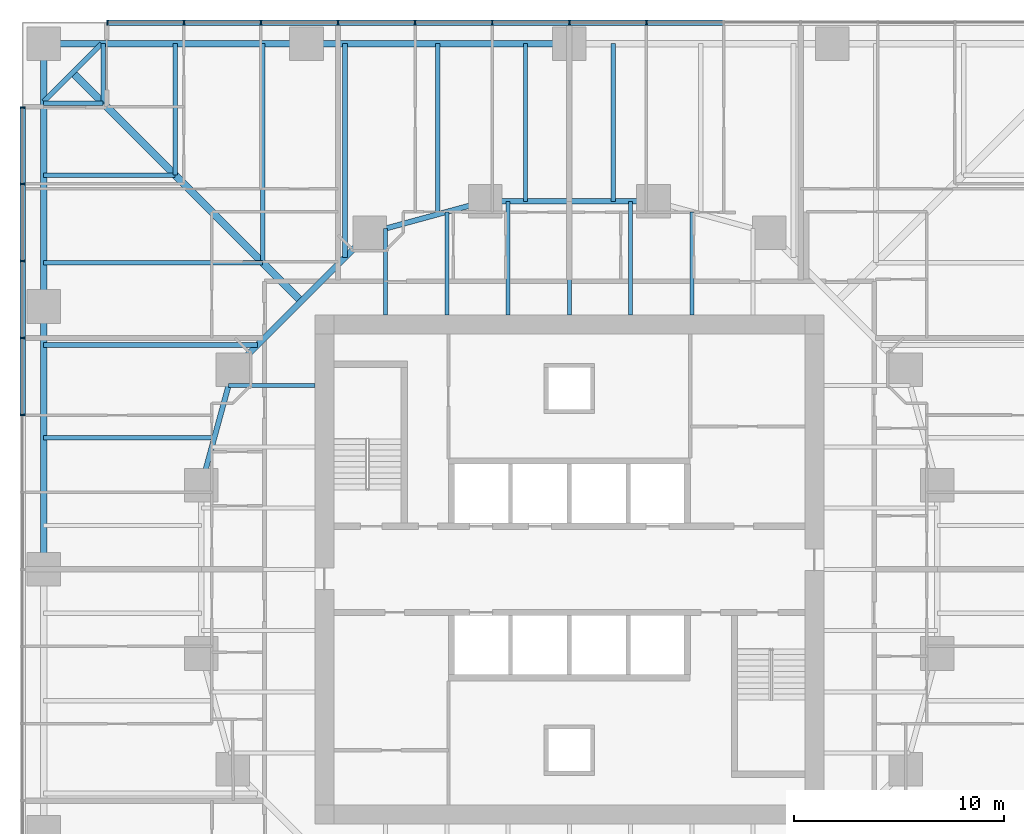
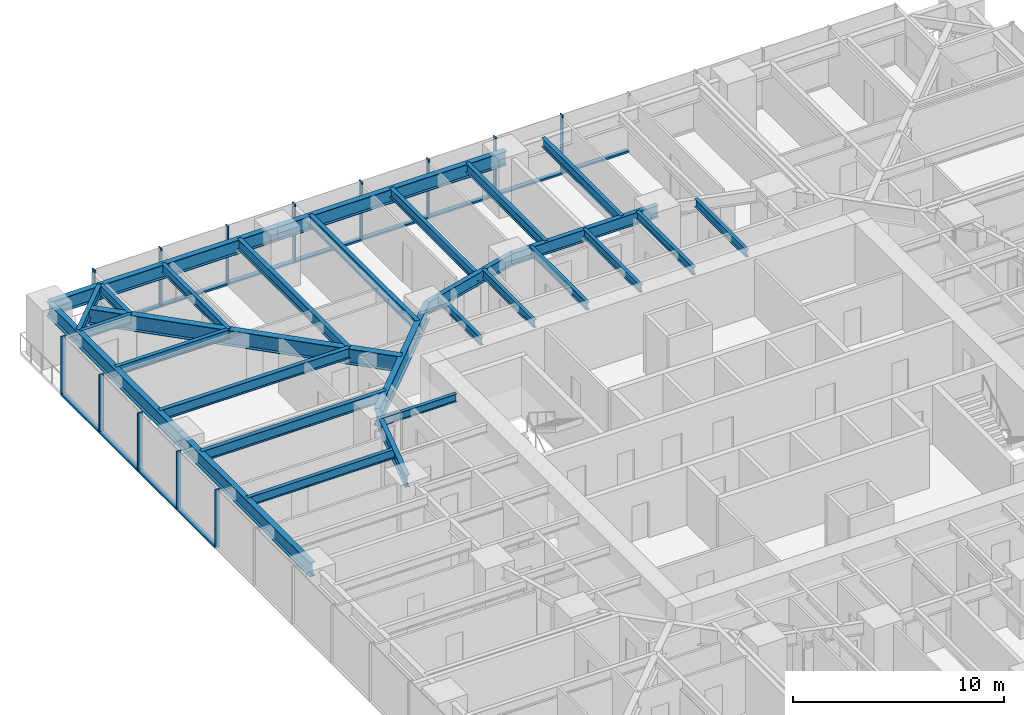
# One storey, part 5 of 17: 29 beams, 25 members, 2 elements without a shape of their own.
"""IFC4 building model written with IfcOpenShell, lengths in metres."""

from ifc_helpers import new_model, si_unit, direction, frame, origin, origin_2d, place, context, subcontext, project, spatial, rectangle, i_section, extrude, material, material_profile, profile_set, type_object, element, aggregate, save


model = new_model("IFC4")

# Units and contexts
model_context = context("Model", 3, precision=1e-05, world=origin(), true_north=direction((0.0, 1.0)))
body_context = subcontext(model_context, "Body", "Model", "MODEL_VIEW")
ifc_project = project(units=[si_unit("LENGTHUNIT", "METRE"), si_unit("AREAUNIT", "SQUARE_METRE"), si_unit("VOLUMEUNIT", "CUBIC_METRE"), si_unit("PLANEANGLEUNIT", "RADIAN"), si_unit("MASSUNIT", "GRAM", prefix="KILO")], contexts=[model_context])

# Site, building, storey
site_placement = place(None, origin())
site = spatial("IfcSite", under=ifc_project, at=site_placement, CompositionType="ELEMENT")
building_placement = place(site_placement, origin())
building = spatial("IfcBuilding", under=site, at=building_placement, Name="Torsade Residences", CompositionType="ELEMENT")
storey_placement = place(building_placement, frame((0.0, 0.0, 18.39990234375)))
storey = spatial("IfcBuildingStorey", under=building, at=storey_placement, Name="L04", CompositionType="ELEMENT", Elevation=18.39990234375)

# Beams
ifc_material_1 = material(Name="Steel grade 300", Category="steel")
ifc_material_profile_1 = material_profile(ifc_material_1, i_section(OverallWidth=0.35009765625, OverallDepth=0.909912109375, WebThickness=0.011962890625, FlangeThickness=0.02490234375, at=origin_2d()), Name="900WB218")
ifc_profile_set_1 = profile_set([ifc_material_profile_1], Name="Steel grade 300")
beam_type_1 = type_object("IfcBeamType", Name="CORNER GIRDER 900WB218", PredefinedType="BEAM", material=ifc_profile_set_1)
beam_1_placement = place(storey_placement, frame((16.375, 53.625, 2.795166015625), z_axis=(0.707106781187, -0.707106781187, 0.0), x_axis=(0.707106781187, 0.707106781187, 0.0)))
element("IfcBeam", 1, at=beam_1_placement, inside=storey, type_object=beam_type_1, Name="Corner girder 13 L05", PredefinedType="BEAM", context=body_context, shape_type="SweptSolid", body=[
    extrude(i_section(OverallWidth=0.35009765625, OverallDepth=0.909912109375, WebThickness=0.011962890625, FlangeThickness=0.02490234375, at=origin_2d()), origin(), (0.0, 0.0, 1.0), 15.379638671875),
])
ifc_material_2 = material(Name="Steel grade 300", Category="steel")
ifc_material_profile_2 = material_profile(ifc_material_2, i_section(OverallWidth=0.22802734375, OverallDepth=0.60205078125, WebThickness=0.010498046875, FlangeThickness=0.014892578125, FilletRadius=0.013916015625, at=origin_2d()), Name="610UB101")
ifc_profile_set_2 = profile_set([ifc_material_profile_2], Name="Steel grade 300")
beam_type_2 = type_object("IfcBeamType", Name="CORNER TRIMMER 610UB101", PredefinedType="BEAM", material=ifc_profile_set_2)
beam_2_placement = place(storey_placement, frame((15.0, 52.25, 2.94921875), z_axis=(0.707106781187, 0.707106781187, 0.0), x_axis=(-0.707106781187, 0.707106781187, 0.0)))
element("IfcBeam", 2, at=beam_2_placement, inside=storey, type_object=beam_type_2, Name="Corner trimmer 13 L05", PredefinedType="BEAM", context=body_context, shape_type="SweptSolid", body=[
    extrude(i_section(OverallWidth=0.22802734375, OverallDepth=0.60205078125, WebThickness=0.010498046875, FlangeThickness=0.014892578125, FilletRadius=0.013916015625, at=origin_2d()), origin(), (0.0, 0.0, 1.0), 3.88916015625),
])

# Curtain wall, members
ifc_material_3 = material(Name="Aluminium and glass", Category="aluminium")
curtain_wall_type = type_object("IfcCurtainWallType", Name="FRITTED GLASS CURTAIN WALL LOW ZONE", PredefinedType="NOTDEFINED", material=ifc_material_3)
curtain_wall_1_placement = place(storey_placement, origin())
curtain_wall_1 = element("IfcCurtainWall", 3, at=curtain_wall_1_placement, inside=storey, type_object=curtain_wall_type, Name="Curtain wall L04 face 7", PredefinedType="NOTDEFINED")
ifc_material_4 = material(Name="Aluminium mullion", Category="aluminium")
ifc_material_profile_3 = material_profile(ifc_material_4, rectangle(XDim=0.25, YDim=0.06494140625, at=origin_2d()), Name="CURTAIN WALL MULLION 250x65")
ifc_profile_set_3 = profile_set([ifc_material_profile_3], Name="Aluminium mullion")
member_type_1 = type_object("IfcMemberType", Name="CURTAIN WALL MULLION 250x65", PredefinedType="MULLION", material=ifc_profile_set_3)
member_1_placement = place(storey_placement, frame((43.666748046875, 56.0, 0.0), z_axis=(0.0, 0.0, 1.0), x_axis=(0.0, -1.0, 0.0)))
member_1 = element("IfcMember", 4, at=member_1_placement, type_object=member_type_1, Name="Mullion 6", PredefinedType="MULLION", context=body_context, shape_type="SweptSolid", body=[
    extrude(rectangle(XDim=0.25, YDim=0.06494140625, at=origin_2d()), origin(), (0.0, 0.0, 1.0), 3.400146484375),
])
member_2_placement = place(storey_placement, frame((40.0, 56.0, 0.0), z_axis=(0.0, 0.0, 1.0), x_axis=(0.0, -1.0, 0.0)))
member_2 = element("IfcMember", 5, at=member_2_placement, type_object=member_type_1, Name="Mullion 7", PredefinedType="MULLION", context=body_context, shape_type="SweptSolid", body=[
    extrude(rectangle(XDim=0.25, YDim=0.06494140625, at=origin_2d()), origin(), (0.0, 0.0, 1.0), 3.400146484375),
])
member_3_placement = place(storey_placement, frame((36.333251953125, 56.0, 0.0), z_axis=(0.0, 0.0, 1.0), x_axis=(0.0, -1.0, 0.0)))
member_3 = element("IfcMember", 6, at=member_3_placement, type_object=member_type_1, Name="Mullion 8", PredefinedType="MULLION", context=body_context, shape_type="SweptSolid", body=[
    extrude(rectangle(XDim=0.25, YDim=0.06494140625, at=origin_2d()), origin(), (0.0, 0.0, 1.0), 3.400146484375),
])
member_4_placement = place(storey_placement, frame((32.666748046875, 56.0, 0.0), z_axis=(0.0, 0.0, 1.0), x_axis=(0.0, -1.0, 0.0)))
member_4 = element("IfcMember", 7, at=member_4_placement, type_object=member_type_1, Name="Mullion 9", PredefinedType="MULLION", context=body_context, shape_type="SweptSolid", body=[
    extrude(rectangle(XDim=0.25, YDim=0.06494140625, at=origin_2d()), origin(), (0.0, 0.0, 1.0), 3.400146484375),
])
member_5_placement = place(storey_placement, frame((29.0, 56.0, 0.0), z_axis=(0.0, 0.0, 1.0), x_axis=(0.0, -1.0, 0.0)))
member_5 = element("IfcMember", 8, at=member_5_placement, type_object=member_type_1, Name="Mullion 10", PredefinedType="MULLION", context=body_context, shape_type="SweptSolid", body=[
    extrude(rectangle(XDim=0.25, YDim=0.06494140625, at=origin_2d()), origin(), (0.0, 0.0, 1.0), 3.400146484375),
])
member_6_placement = place(storey_placement, frame((25.333251953125, 56.0, 0.0), z_axis=(0.0, 0.0, 1.0), x_axis=(0.0, -1.0, 0.0)))
member_6 = element("IfcMember", 9, at=member_6_placement, type_object=member_type_1, Name="Mullion 11", PredefinedType="MULLION", context=body_context, shape_type="SweptSolid", body=[
    extrude(rectangle(XDim=0.25, YDim=0.06494140625, at=origin_2d()), origin(), (0.0, 0.0, 1.0), 3.400146484375),
])
member_7_placement = place(storey_placement, frame((21.666748046875, 56.0, 0.0), z_axis=(0.0, 0.0, 1.0), x_axis=(0.0, -1.0, 0.0)))
member_7 = element("IfcMember", 10, at=member_7_placement, type_object=member_type_1, Name="Mullion 12", PredefinedType="MULLION", context=body_context, shape_type="SweptSolid", body=[
    extrude(rectangle(XDim=0.25, YDim=0.06494140625, at=origin_2d()), origin(), (0.0, 0.0, 1.0), 3.400146484375),
])
member_8_placement = place(storey_placement, frame((18.032470703125, 56.0, 0.0), z_axis=(0.0, 0.0, 1.0), x_axis=(0.0, -1.0, 0.0)))
member_8 = element("IfcMember", 11, at=member_8_placement, type_object=member_type_1, Name="Mullion 13", PredefinedType="MULLION", context=body_context, shape_type="SweptSolid", body=[
    extrude(rectangle(XDim=0.25, YDim=0.06494140625, at=origin_2d()), origin(), (0.0, 0.0, 1.0), 3.400146484375),
])

curtain_wall_2_placement = place(storey_placement, origin())
curtain_wall_2 = element("IfcCurtainWall", 12, at=curtain_wall_2_placement, inside=storey, type_object=curtain_wall_type, Name="Curtain wall L04 face 10", PredefinedType="NOTDEFINED")
member_9_placement = place(storey_placement, frame((14.0, 51.967529296875, 0.0), z_axis=(0.0, 0.0, 1.0), x_axis=(1.0, 0.0, 0.0)))
member_9 = element("IfcMember", 13, at=member_9_placement, type_object=member_type_1, Name="Mullion 1", PredefinedType="MULLION", context=body_context, shape_type="SweptSolid", body=[
    extrude(rectangle(XDim=0.25, YDim=0.06494140625, at=origin_2d()), origin(), (0.0, 0.0, 1.0), 3.400146484375),
])
member_10_placement = place(storey_placement, frame((14.0, 48.333251953125, 0.0), z_axis=(0.0, 0.0, 1.0), x_axis=(1.0, 0.0, 0.0)))
member_10 = element("IfcMember", 14, at=member_10_placement, type_object=member_type_1, Name="Mullion 2", PredefinedType="MULLION", context=body_context, shape_type="SweptSolid", body=[
    extrude(rectangle(XDim=0.25, YDim=0.06494140625, at=origin_2d()), origin(), (0.0, 0.0, 1.0), 3.400146484375),
])
member_11_placement = place(storey_placement, frame((14.0, 44.666748046875, 0.0), z_axis=(0.0, 0.0, 1.0), x_axis=(1.0, 0.0, 0.0)))
member_11 = element("IfcMember", 15, at=member_11_placement, type_object=member_type_1, Name="Mullion 3", PredefinedType="MULLION", context=body_context, shape_type="SweptSolid", body=[
    extrude(rectangle(XDim=0.25, YDim=0.06494140625, at=origin_2d()), origin(), (0.0, 0.0, 1.0), 3.400146484375),
])
member_12_placement = place(storey_placement, frame((14.0, 41.0, 0.0), z_axis=(0.0, 0.0, 1.0), x_axis=(1.0, 0.0, 0.0)))
member_12 = element("IfcMember", 16, at=member_12_placement, type_object=member_type_1, Name="Mullion 4", PredefinedType="MULLION", context=body_context, shape_type="SweptSolid", body=[
    extrude(rectangle(XDim=0.25, YDim=0.06494140625, at=origin_2d()), origin(), (0.0, 0.0, 1.0), 3.400146484375),
])
member_13_placement = place(storey_placement, frame((14.0, 37.333251953125, 0.0), z_axis=(0.0, 0.0, 1.0), x_axis=(1.0, 0.0, 0.0)))
member_13 = element("IfcMember", 17, at=member_13_placement, type_object=member_type_1, Name="Mullion 5", PredefinedType="MULLION", context=body_context, shape_type="SweptSolid", body=[
    extrude(rectangle(XDim=0.25, YDim=0.06494140625, at=origin_2d()), origin(), (0.0, 0.0, 1.0), 3.400146484375),
])

# Member
ifc_material_5 = material(Name="Aluminium transom", Category="aluminium")
ifc_material_profile_4 = material_profile(ifc_material_5, rectangle(XDim=0.25, YDim=0.10009765625, at=origin_2d()), Name="CURTAIN WALL TRANSOM 250x100")
ifc_profile_set_4 = profile_set([ifc_material_profile_4], Name="Aluminium transom")
member_type_2 = type_object("IfcMemberType", Name="CURTAIN WALL TRANSOM 250x100", PredefinedType="USERDEFINED", material=ifc_profile_set_4)
member_14_placement = place(storey_placement, frame((47.30078125, 56.0, 0.050048828125), z_axis=(-1.0, 0.0, 0.0), x_axis=(0.0, -1.0, 0.0)))
member_14 = element("IfcMember", 18, at=member_14_placement, type_object=member_type_2, Name="Transom 5.1", ObjectType="TRANSOM", PredefinedType="USERDEFINED", context=body_context, shape_type="SweptSolid", body=[
    extrude(rectangle(XDim=0.25, YDim=0.10009765625, at=origin_2d()), origin(), (0.0, 0.0, 1.0), 3.6015625),
])

member_15_placement = place(storey_placement, frame((43.63427734375, 56.0, 0.050048828125), z_axis=(-1.0, 0.0, 0.0), x_axis=(0.0, -1.0, 0.0)))
member_15 = element("IfcMember", 19, at=member_15_placement, type_object=member_type_2, Name="Transom 6.1", ObjectType="TRANSOM", PredefinedType="USERDEFINED", context=body_context, shape_type="SweptSolid", body=[
    extrude(rectangle(XDim=0.25, YDim=0.10009765625, at=origin_2d()), origin(), (0.0, 0.0, 1.0), 3.601806640625),
])

member_16_placement = place(storey_placement, frame((39.967529296875, 56.0, 0.050048828125), z_axis=(-1.0, 0.0, 0.0), x_axis=(0.0, -1.0, 0.0)))
member_16 = element("IfcMember", 20, at=member_16_placement, type_object=member_type_2, Name="Transom 7.1", ObjectType="TRANSOM", PredefinedType="USERDEFINED", context=body_context, shape_type="SweptSolid", body=[
    extrude(rectangle(XDim=0.25, YDim=0.10009765625, at=origin_2d()), origin(), (0.0, 0.0, 1.0), 3.601806640625),
])

member_17_placement = place(storey_placement, frame((36.30078125, 56.0, 0.050048828125), z_axis=(-1.0, 0.0, 0.0), x_axis=(0.0, -1.0, 0.0)))
member_17 = element("IfcMember", 21, at=member_17_placement, type_object=member_type_2, Name="Transom 8.1", ObjectType="TRANSOM", PredefinedType="USERDEFINED", context=body_context, shape_type="SweptSolid", body=[
    extrude(rectangle(XDim=0.25, YDim=0.10009765625, at=origin_2d()), origin(), (0.0, 0.0, 1.0), 3.6015625),
])

member_18_placement = place(storey_placement, frame((32.63427734375, 56.0, 0.050048828125), z_axis=(-1.0, 0.0, 0.0), x_axis=(0.0, -1.0, 0.0)))
member_18 = element("IfcMember", 22, at=member_18_placement, type_object=member_type_2, Name="Transom 9.1", ObjectType="TRANSOM", PredefinedType="USERDEFINED", context=body_context, shape_type="SweptSolid", body=[
    extrude(rectangle(XDim=0.25, YDim=0.10009765625, at=origin_2d()), origin(), (0.0, 0.0, 1.0), 3.601806640625),
])

member_19_placement = place(storey_placement, frame((28.967529296875, 56.0, 0.050048828125), z_axis=(-1.0, 0.0, 0.0), x_axis=(0.0, -1.0, 0.0)))
member_19 = element("IfcMember", 23, at=member_19_placement, type_object=member_type_2, Name="Transom 10.1", ObjectType="TRANSOM", PredefinedType="USERDEFINED", context=body_context, shape_type="SweptSolid", body=[
    extrude(rectangle(XDim=0.25, YDim=0.10009765625, at=origin_2d()), origin(), (0.0, 0.0, 1.0), 3.601806640625),
])

member_20_placement = place(storey_placement, frame((25.30078125, 56.0, 0.050048828125), z_axis=(-1.0, 0.0, 0.0), x_axis=(0.0, -1.0, 0.0)))
member_20 = element("IfcMember", 24, at=member_20_placement, type_object=member_type_2, Name="Transom 11.1", ObjectType="TRANSOM", PredefinedType="USERDEFINED", context=body_context, shape_type="SweptSolid", body=[
    extrude(rectangle(XDim=0.25, YDim=0.10009765625, at=origin_2d()), origin(), (0.0, 0.0, 1.0), 3.6015625),
])

member_21_placement = place(storey_placement, frame((21.63427734375, 56.0, 0.050048828125), z_axis=(-1.0, 0.0, 0.0), x_axis=(0.0, -1.0, 0.0)))
member_21 = element("IfcMember", 25, at=member_21_placement, type_object=member_type_2, Name="Transom 12.1", ObjectType="TRANSOM", PredefinedType="USERDEFINED", context=body_context, shape_type="SweptSolid", body=[
    extrude(rectangle(XDim=0.25, YDim=0.10009765625, at=origin_2d()), origin(), (0.0, 0.0, 1.0), 3.5693359375),
])

aggregate(curtain_wall_1, [member_1, member_2, member_3, member_4, member_5, member_6, member_7, member_8, member_14, member_15, member_16, member_17, member_18, member_19, member_20, member_21])

member_22_placement = place(storey_placement, frame((14.0, 51.93505859375, 0.050048828125), z_axis=(0.0, -1.0, 0.0), x_axis=(1.0, 0.0, 0.0)))
member_22 = element("IfcMember", 26, at=member_22_placement, type_object=member_type_2, Name="Transom 1.1", ObjectType="TRANSOM", PredefinedType="USERDEFINED", context=body_context, shape_type="SweptSolid", body=[
    extrude(rectangle(XDim=0.25, YDim=0.10009765625, at=origin_2d()), origin(), (0.0, 0.0, 1.0), 3.5693359375),
])

member_23_placement = place(storey_placement, frame((14.0, 48.30078125, 0.050048828125), z_axis=(0.0, -1.0, 0.0), x_axis=(1.0, 0.0, 0.0)))
member_23 = element("IfcMember", 27, at=member_23_placement, type_object=member_type_2, Name="Transom 2.1", ObjectType="TRANSOM", PredefinedType="USERDEFINED", context=body_context, shape_type="SweptSolid", body=[
    extrude(rectangle(XDim=0.25, YDim=0.10009765625, at=origin_2d()), origin(), (0.0, 0.0, 1.0), 3.6015625),
])

member_24_placement = place(storey_placement, frame((14.0, 44.63427734375, 0.050048828125), z_axis=(0.0, -1.0, 0.0), x_axis=(1.0, 0.0, 0.0)))
member_24 = element("IfcMember", 28, at=member_24_placement, type_object=member_type_2, Name="Transom 3.1", ObjectType="TRANSOM", PredefinedType="USERDEFINED", context=body_context, shape_type="SweptSolid", body=[
    extrude(rectangle(XDim=0.25, YDim=0.10009765625, at=origin_2d()), origin(), (0.0, 0.0, 1.0), 3.601806640625),
])

member_25_placement = place(storey_placement, frame((14.0, 40.967529296875, 0.050048828125), z_axis=(0.0, -1.0, 0.0), x_axis=(1.0, 0.0, 0.0)))
member_25 = element("IfcMember", 29, at=member_25_placement, type_object=member_type_2, Name="Transom 4.1", ObjectType="TRANSOM", PredefinedType="USERDEFINED", context=body_context, shape_type="SweptSolid", body=[
    extrude(rectangle(XDim=0.25, YDim=0.10009765625, at=origin_2d()), origin(), (0.0, 0.0, 1.0), 3.601806640625),
])

aggregate(curtain_wall_2, [member_9, member_10, member_11, member_12, member_13, member_22, member_23, member_24, member_25])

# Beams
ifc_material_6 = material(Name="Steel grade 300", Category="steel")
ifc_material_profile_5 = material_profile(ifc_material_6, i_section(OverallWidth=0.300048828125, OverallDepth=0.81591796875, WebThickness=0.010009765625, FlangeThickness=0.028076171875, at=origin_2d()), Name="800WB192")
ifc_profile_set_5 = profile_set([ifc_material_profile_5], Name="Steel grade 300")
beam_type_3 = type_object("IfcBeamType", Name="EDGE BEAM 800WB192", PredefinedType="SPANDREL", material=ifc_profile_set_5)
for number, where, z_axis, x_axis, name in (
    (30, (40.0, 55.0, 2.842041015625), (-1.0, 0.0, 0.0), (0.0, -1.0, 0.0), "Edge beam 11 L05"),
    (31, (27.5, 55.0, 2.842041015625), (-1.0, 0.0, 0.0), (0.0, -1.0, 0.0), "Edge beam 12 L05"),
    (32, (15.0, 55.0, 2.842041015625), (0.0, -1.0, 0.0), (1.0, 0.0, 0.0), "Edge beam 13 L05"),
    (33, (15.0, 42.5, 2.842041015625), (0.0, -1.0, 0.0), (1.0, 0.0, 0.0), "Edge beam 14 L05"),
):
    element("IfcBeam", number, at=place(storey_placement, frame(where, z_axis=z_axis, x_axis=x_axis)), inside=storey, type_object=beam_type_3, Name=name, PredefinedType="SPANDREL", context=body_context, shape_type="SweptSolid", body=[
        extrude(i_section(OverallWidth=0.300048828125, OverallDepth=0.81591796875, WebThickness=0.010009765625, FlangeThickness=0.028076171875, at=origin_2d()), origin(), (0.0, 0.0, 1.0), 12.5),
    ])
ifc_material_7 = material(Name="Steel grade 300", Category="steel")
ifc_material_profile_6 = material_profile(ifc_material_7, i_section(OverallWidth=0.18994140625, OverallDepth=0.4541015625, WebThickness=0.008544921875, FlangeThickness=0.0126953125, FilletRadius=0.011474609375, at=origin_2d()), Name="460UB67.1")
ifc_profile_set_6 = profile_set([ifc_material_profile_6], Name="Steel grade 300")
beam_type_4 = type_object("IfcBeamType", Name="INNER FLOOR BEAM 460UB67.1", PredefinedType="JOIST", material=ifc_profile_set_6)
beam_3_placement = place(storey_placement, frame((31.262451171875, 42.10009765625, 3.023193359375), z_axis=(0.0, 1.0, 0.0), x_axis=(-1.0, 0.0, 0.0)))
element("IfcBeam", 34, at=beam_3_placement, inside=storey, type_object=beam_type_4, Name="Inner floor beam IN01 L05", PredefinedType="JOIST", context=body_context, shape_type="SweptSolid", body=[
    extrude(i_section(OverallWidth=0.18994140625, OverallDepth=0.4541015625, WebThickness=0.008544921875, FlangeThickness=0.0126953125, FilletRadius=0.011474609375, at=origin_2d()), origin(), (0.0, 0.0, 1.0), 4.10791015625),
])
beam_4_placement = place(storey_placement, frame((34.175048828125, 42.10009765625, 3.023193359375), z_axis=(0.0, 1.0, 0.0), x_axis=(-1.0, 0.0, 0.0)))
element("IfcBeam", 35, at=beam_4_placement, inside=storey, type_object=beam_type_4, Name="Inner floor beam IN02 L05", PredefinedType="JOIST", context=body_context, shape_type="SweptSolid", body=[
    extrude(i_section(OverallWidth=0.18994140625, OverallDepth=0.4541015625, WebThickness=0.008544921875, FlangeThickness=0.0126953125, FilletRadius=0.011474609375, at=origin_2d()), origin(), (0.0, 0.0, 1.0), 4.902099609375),
])
for number, where, z_axis, x_axis, name in (
    (36, (37.08740234375, 42.10009765625, 3.023193359375), (0.0, 1.0, 0.0), (-1.0, 0.0, 0.0), "Inner floor beam IN03 L05"),
    (37, (40.0, 42.10009765625, 3.023193359375), (0.0, 1.0, 0.0), (-1.0, 0.0, 0.0), "Inner floor beam IN04 L05"),
    (38, (42.91259765625, 42.10009765625, 3.023193359375), (0.0, 1.0, 0.0), (-1.0, 0.0, 0.0), "Inner floor beam IN05 L05"),
):
    element("IfcBeam", number, at=place(storey_placement, frame(where, z_axis=z_axis, x_axis=x_axis)), inside=storey, type_object=beam_type_4, Name=name, PredefinedType="JOIST", context=body_context, shape_type="SweptSolid", body=[
        extrude(i_section(OverallWidth=0.18994140625, OverallDepth=0.4541015625, WebThickness=0.008544921875, FlangeThickness=0.0126953125, FilletRadius=0.011474609375, at=origin_2d()), origin(), (0.0, 0.0, 1.0), 5.39990234375),
    ])
beam_5_placement = place(storey_placement, frame((45.824951171875, 42.10009765625, 3.023193359375), z_axis=(0.0, 1.0, 0.0), x_axis=(-1.0, 0.0, 0.0)))
element("IfcBeam", 39, at=beam_5_placement, inside=storey, type_object=beam_type_4, Name="Inner floor beam IN06 L05", PredefinedType="JOIST", context=body_context, shape_type="SweptSolid", body=[
    extrude(i_section(OverallWidth=0.18994140625, OverallDepth=0.4541015625, WebThickness=0.008544921875, FlangeThickness=0.0126953125, FilletRadius=0.011474609375, at=origin_2d()), origin(), (0.0, 0.0, 1.0), 4.902099609375),
])
beam_6_placement = place(storey_placement, frame((27.89990234375, 38.737548828125, 3.023193359375), z_axis=(-1.0, 0.0, 0.0), x_axis=(0.0, -1.0, 0.0)))
element("IfcBeam", 40, at=beam_6_placement, inside=storey, type_object=beam_type_4, Name="Inner floor beam IW01 L05", PredefinedType="JOIST", context=body_context, shape_type="SweptSolid", body=[
    extrude(i_section(OverallWidth=0.18994140625, OverallDepth=0.4541015625, WebThickness=0.008544921875, FlangeThickness=0.0126953125, FilletRadius=0.011474609375, at=origin_2d()), origin(), (0.0, 0.0, 1.0), 4.10791015625),
])
ifc_material_8 = material(Name="Steel grade 300", Category="steel")
ifc_material_profile_7 = material_profile(ifc_material_8, i_section(OverallWidth=0.300048828125, OverallDepth=1.0, WebThickness=0.01611328125, FlangeThickness=0.028076171875, at=origin_2d()), Name="1000WB215")
ifc_profile_set_7 = profile_set([ifc_material_profile_7], Name="Steel grade 300")
beam_type_5 = type_object("IfcBeamType", Name="RING CORNER GIRDER 1000WB215", PredefinedType="BEAM", material=ifc_profile_set_7)
beam_7_placement = place(storey_placement, frame((30.5, 46.0, 2.75), z_axis=(-0.707106781187, -0.707106781187, 0.0), x_axis=(0.707106781187, -0.707106781187, 0.0)))
element("IfcBeam", 41, at=beam_7_placement, inside=storey, type_object=beam_type_5, Name="Ring girder IR07 L05", PredefinedType="BEAM", context=body_context, shape_type="SweptSolid", body=[
    extrude(i_section(OverallWidth=0.300048828125, OverallDepth=1.0, WebThickness=0.01611328125, FlangeThickness=0.028076171875, at=origin_2d()), origin(), (0.0, 0.0, 1.0), 9.1923828125),
])
ifc_material_9 = material(Name="Steel grade 300", Category="steel")
ifc_material_profile_8 = material_profile(ifc_material_9, i_section(OverallWidth=0.25, OverallDepth=0.699951171875, WebThickness=0.010009765625, FlangeThickness=0.02001953125, at=origin_2d()), Name="700WB130")
ifc_profile_set_8 = profile_set([ifc_material_profile_8], Name="Steel grade 300")
beam_type_6 = type_object("IfcBeamType", Name="RING GIRDER 700WB130", PredefinedType="BEAM", material=ifc_profile_set_8)
beam_8_placement = place(storey_placement, frame((44.0, 47.5, 2.900146484375), z_axis=(-1.0, 0.0, 0.0), x_axis=(0.0, -1.0, 0.0)))
element("IfcBeam", 42, at=beam_8_placement, inside=storey, type_object=beam_type_6, Name="Ring girder IR05 L05", PredefinedType="BEAM", context=body_context, shape_type="SweptSolid", body=[
    extrude(i_section(OverallWidth=0.25, OverallDepth=0.699951171875, WebThickness=0.010009765625, FlangeThickness=0.02001953125, at=origin_2d()), origin(), (0.0, 0.0, 1.0), 8.0),
])
for number, where, z_axis, x_axis, name in (
    (43, (36.0, 47.5, 2.900146484375), (-0.964763821238, -0.263117405792, 0.0), (0.263117405792, -0.964763821238, 0.0), "Ring girder IR06 L05"),
    (44, (24.0, 39.5, 2.900146484375), (-0.263117405792, -0.964763821238, 0.0), (0.964763821238, -0.263117405792, 0.0), "Ring girder IR08 L05"),
):
    element("IfcBeam", number, at=place(storey_placement, frame(where, z_axis=z_axis, x_axis=x_axis)), inside=storey, type_object=beam_type_6, Name=name, PredefinedType="BEAM", context=body_context, shape_type="SweptSolid", body=[
        extrude(i_section(OverallWidth=0.25, OverallDepth=0.699951171875, WebThickness=0.010009765625, FlangeThickness=0.02001953125, at=origin_2d()), origin(), (0.0, 0.0, 1.0), 5.700927734375),
    ])
ifc_material_10 = material(Name="Steel grade 300", Category="steel")
ifc_material_profile_9 = material_profile(ifc_material_10, i_section(OverallWidth=0.208984375, OverallDepth=0.528076171875, WebThickness=0.009521484375, FlangeThickness=0.01318359375, FilletRadius=0.013916015625, at=origin_2d()), Name="530UB82.0")
ifc_profile_set_9 = profile_set([ifc_material_profile_9], Name="Steel grade 300")
beam_type_7 = type_object("IfcBeamType", Name="SECONDARY BEAM 530UB82.0", PredefinedType="JOIST", material=ifc_profile_set_9)
for number, where, z_axis, x_axis, name in (
    (45, (42.083251953125, 55.0, 2.986083984375), (0.0, -1.0, 0.0), (1.0, 0.0, 0.0), "Floor beam FN06 L05"),
    (46, (37.916748046875, 55.0, 2.986083984375), (0.0, -1.0, 0.0), (1.0, 0.0, 0.0), "Floor beam FN07 L05"),
):
    element("IfcBeam", number, at=place(storey_placement, frame(where, z_axis=z_axis, x_axis=x_axis)), inside=storey, type_object=beam_type_7, Name=name, PredefinedType="JOIST", context=body_context, shape_type="SweptSolid", body=[
        extrude(i_section(OverallWidth=0.208984375, OverallDepth=0.528076171875, WebThickness=0.009521484375, FlangeThickness=0.01318359375, FilletRadius=0.013916015625, at=origin_2d()), origin(), (0.0, 0.0, 1.0), 7.5),
    ])
beam_9_placement = place(storey_placement, frame((33.75, 55.0, 2.986083984375), z_axis=(0.0, -1.0, 0.0), x_axis=(1.0, 0.0, 0.0)))
element("IfcBeam", 47, at=beam_9_placement, inside=storey, type_object=beam_type_7, Name="Floor beam FN08 L05", PredefinedType="JOIST", context=body_context, shape_type="SweptSolid", body=[
    extrude(i_section(OverallWidth=0.208984375, OverallDepth=0.528076171875, WebThickness=0.009521484375, FlangeThickness=0.01318359375, FilletRadius=0.013916015625, at=origin_2d()), origin(), (0.0, 0.0, 1.0), 8.113525390625),
])
beam_10_placement = place(storey_placement, frame((21.25, 55.0, 2.986083984375), z_axis=(0.0, -1.0, 0.0), x_axis=(1.0, 0.0, 0.0)))
element("IfcBeam", 48, at=beam_10_placement, inside=storey, type_object=beam_type_7, Name="Floor beam FN11 L05", PredefinedType="JOIST", context=body_context, shape_type="SweptSolid", body=[
    extrude(i_section(OverallWidth=0.208984375, OverallDepth=0.528076171875, WebThickness=0.009521484375, FlangeThickness=0.01318359375, FilletRadius=0.013916015625, at=origin_2d()), origin(), (0.0, 0.0, 1.0), 6.25),
])
for number, where, z_axis, x_axis, name in (
    (49, (17.833251953125, 55.0, 2.986083984375), (0.0, -1.0, 0.0), (1.0, 0.0, 0.0), "Floor beam FN12 L05"),
    (50, (15.0, 52.166748046875, 2.986083984375), (1.0, 0.0, 0.0), (0.0, 1.0, 0.0), "Floor beam FW01 L05"),
):
    element("IfcBeam", number, at=place(storey_placement, frame(where, z_axis=z_axis, x_axis=x_axis)), inside=storey, type_object=beam_type_7, Name=name, PredefinedType="JOIST", context=body_context, shape_type="SweptSolid", body=[
        extrude(i_section(OverallWidth=0.208984375, OverallDepth=0.528076171875, WebThickness=0.009521484375, FlangeThickness=0.01318359375, FilletRadius=0.013916015625, at=origin_2d()), origin(), (0.0, 0.0, 1.0), 2.833251953125),
    ])
beam_11_placement = place(storey_placement, frame((15.0, 48.75, 2.986083984375), z_axis=(1.0, 0.0, 0.0), x_axis=(0.0, 1.0, 0.0)))
element("IfcBeam", 51, at=beam_11_placement, inside=storey, type_object=beam_type_7, Name="Floor beam FW02 L05", PredefinedType="JOIST", context=body_context, shape_type="SweptSolid", body=[
    extrude(i_section(OverallWidth=0.208984375, OverallDepth=0.528076171875, WebThickness=0.009521484375, FlangeThickness=0.01318359375, FilletRadius=0.013916015625, at=origin_2d()), origin(), (0.0, 0.0, 1.0), 6.25),
])
beam_12_placement = place(storey_placement, frame((15.0, 36.25, 2.986083984375), z_axis=(1.0, 0.0, 0.0), x_axis=(0.0, 1.0, 0.0)))
element("IfcBeam", 52, at=beam_12_placement, inside=storey, type_object=beam_type_7, Name="Floor beam FW05 L05", PredefinedType="JOIST", context=body_context, shape_type="SweptSolid", body=[
    extrude(i_section(OverallWidth=0.208984375, OverallDepth=0.528076171875, WebThickness=0.009521484375, FlangeThickness=0.01318359375, FilletRadius=0.013916015625, at=origin_2d()), origin(), (0.0, 0.0, 1.0), 8.113525390625),
])
ifc_material_11 = material(Name="Steel grade 300", Category="steel")
ifc_material_profile_10 = material_profile(ifc_material_11, i_section(OverallWidth=0.22900390625, OverallDepth=0.612060546875, WebThickness=0.011962890625, FlangeThickness=0.01953125, FilletRadius=0.013916015625, at=origin_2d()), Name="610UB125")
ifc_profile_set_10 = profile_set([ifc_material_profile_10], Name="Steel grade 300")
beam_type_8 = type_object("IfcBeamType", Name="SECONDARY BEAM 610UB125", PredefinedType="JOIST", material=ifc_profile_set_10)
beam_13_placement = place(storey_placement, frame((29.333251953125, 55.0, 2.944091796875), z_axis=(0.0, -1.0, 0.0), x_axis=(1.0, 0.0, 0.0)))
element("IfcBeam", 53, at=beam_13_placement, inside=storey, type_object=beam_type_8, Name="Floor beam FN09 L05", PredefinedType="JOIST", context=body_context, shape_type="SweptSolid", body=[
    extrude(i_section(OverallWidth=0.22900390625, OverallDepth=0.612060546875, WebThickness=0.011962890625, FlangeThickness=0.01953125, FilletRadius=0.013916015625, at=origin_2d()), origin(), (0.0, 0.0, 1.0), 10.166748046875),
])
for number, where, z_axis, x_axis, name in (
    (54, (25.416748046875, 55.0, 2.944091796875), (0.0, -1.0, 0.0), (1.0, 0.0, 0.0), "Floor beam FN10 L05"),
    (55, (15.0, 44.583251953125, 2.944091796875), (1.0, 0.0, 0.0), (0.0, 1.0, 0.0), "Floor beam FW03 L05"),
):
    element("IfcBeam", number, at=place(storey_placement, frame(where, z_axis=z_axis, x_axis=x_axis)), inside=storey, type_object=beam_type_8, Name=name, PredefinedType="JOIST", context=body_context, shape_type="SweptSolid", body=[
        extrude(i_section(OverallWidth=0.22900390625, OverallDepth=0.612060546875, WebThickness=0.011962890625, FlangeThickness=0.01953125, FilletRadius=0.013916015625, at=origin_2d()), origin(), (0.0, 0.0, 1.0), 10.416748046875),
    ])
beam_14_placement = place(storey_placement, frame((15.0, 40.666748046875, 2.944091796875), z_axis=(1.0, 0.0, 0.0), x_axis=(0.0, 1.0, 0.0)))
element("IfcBeam", 56, at=beam_14_placement, inside=storey, type_object=beam_type_8, Name="Floor beam FW04 L05", PredefinedType="JOIST", context=body_context, shape_type="SweptSolid", body=[
    extrude(i_section(OverallWidth=0.22900390625, OverallDepth=0.612060546875, WebThickness=0.011962890625, FlangeThickness=0.01953125, FilletRadius=0.013916015625, at=origin_2d()), origin(), (0.0, 0.0, 1.0), 10.166748046875),
])

save(model, "model.ifc")
